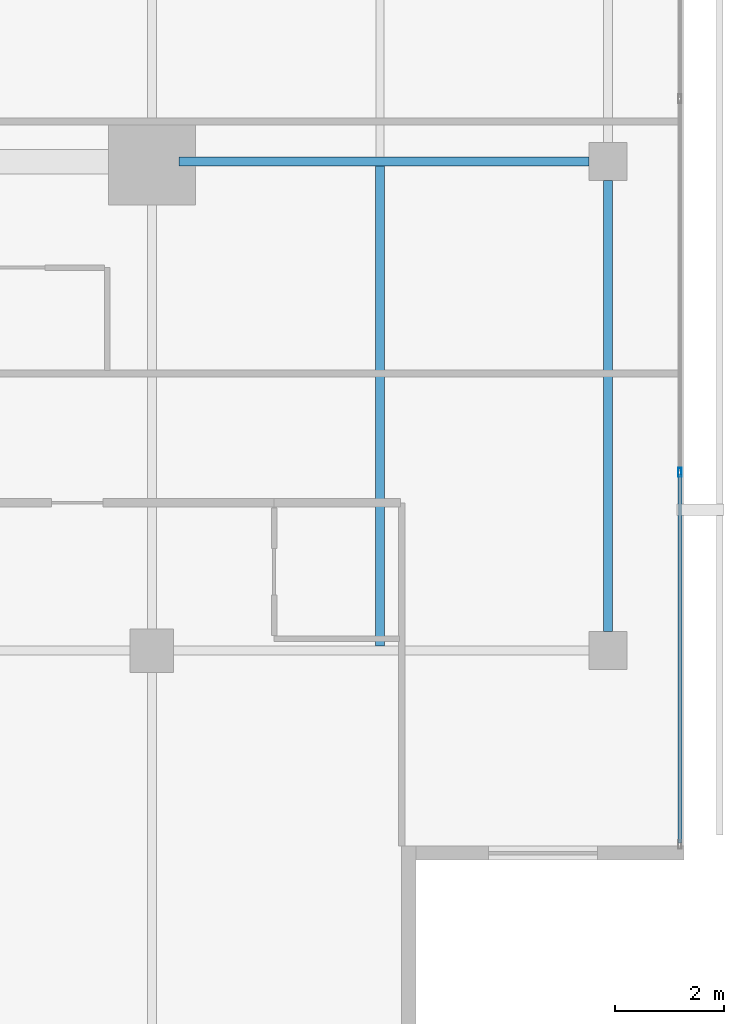
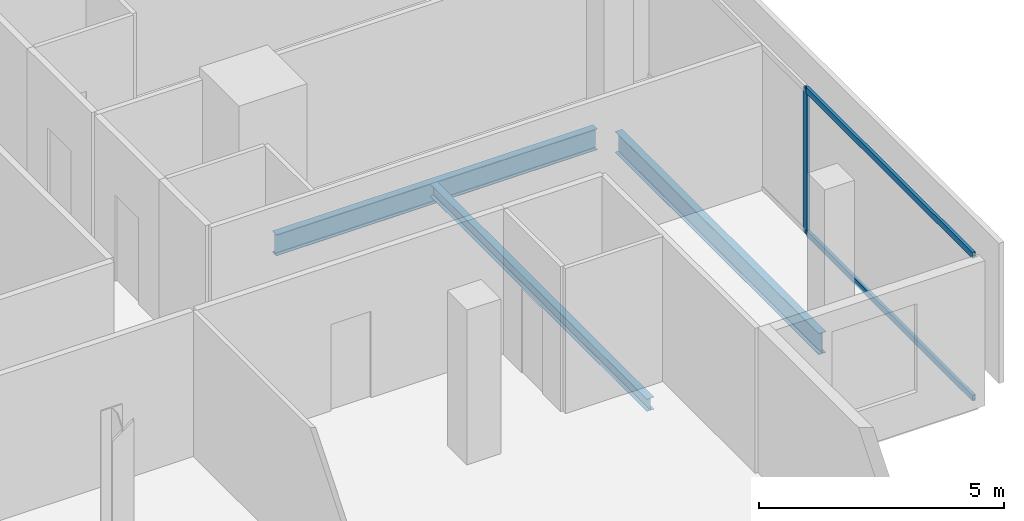
# One storey, part 12 of 25: 3 beams, 3 members, 1 element without a shape of its own.
"""IFC4 building model written with IfcOpenShell, lengths in metres."""

from ifc_helpers import new_model, si_unit, direction, frame, origin, origin_2d, place, context, subcontext, project, spatial, hollow_rectangle, i_section, extrude, material, layer, layer_set, material_profile, profile_set, type_object, element, aggregate, save


model = new_model("IFC4")

# Units and contexts
model_context = context("Model", 3, precision=1e-05, world=origin(), true_north=direction((0.0, 1.0)))
body_context = subcontext(model_context, "Body", "Model", "MODEL_VIEW")
ifc_project = project(units=[si_unit("LENGTHUNIT", "METRE"), si_unit("AREAUNIT", "SQUARE_METRE"), si_unit("VOLUMEUNIT", "CUBIC_METRE"), si_unit("PLANEANGLEUNIT", "RADIAN"), si_unit("MASSUNIT", "GRAM", prefix="KILO")], contexts=[model_context])

# Site, building, storey
site_placement = place(None, origin())
site = spatial("IfcSite", under=ifc_project, at=site_placement, CompositionType="ELEMENT")
building_placement = place(site_placement, origin())
building = spatial("IfcBuilding", under=site, at=building_placement, Name="Maruvema Waterfront Hotel and Observation Tower", CompositionType="ELEMENT")
storey_placement = place(building_placement, frame((0.0, 0.0, 277.89990234375)))
storey = spatial("IfcBuildingStorey", under=building, at=storey_placement, Name="L68", CompositionType="ELEMENT", Elevation=277.89990234375)

# Curtain wall, members
ifc_material_1 = material(Name="Anodised bronze aluminium and solar-control low-E IGU", Category="aluminium")
ifc_layer = layer(ifc_material_1, 0.159912109375, Name="Zone 3 Champagne Inner Thermal Curtain Wall System CW-04")
ifc_layer_set = layer_set([ifc_layer], Name="Anodised bronze aluminium and solar-control low-E IGU")
curtain_wall_type = type_object("IfcCurtainWallType", Name="Zone 3 Champagne Inner Thermal Curtain Wall System CW-04", PredefinedType="USERDEFINED", material=ifc_layer_set)
curtain_wall_placement = place(storey_placement, origin())
curtain_wall = element("IfcCurtainWall", 1, at=curtain_wall_placement, inside=storey, type_object=curtain_wall_type, Name="L68 Curtain Wall CW-L68-E", ObjectType="UNITISED CURTAIN WALL", PredefinedType="USERDEFINED")
ifc_material_2 = material(Name="Anodised architectural bronze aluminium", Category="aluminium")
ifc_material_profile_1 = material_profile(ifc_material_2, hollow_rectangle(XDim=0.070068359375, YDim=0.14990234375, WallThickness=0.00390625, at=origin_2d()), Name="ALU-T70x150")
ifc_profile_set_1 = profile_set([ifc_material_profile_1], Name="Anodised architectural bronze aluminium")
member_type_1 = type_object("IfcMemberType", Name="Curtain Wall Horizontal Transom ALU-T70x150", PredefinedType="USERDEFINED", material=ifc_profile_set_1)
member_1_placement = place(storey_placement, frame((60.1201171875, 14.4599609375, 0.030029296875), z_axis=(0.0, 1.0, 0.0), x_axis=(-1.0, 0.0, 0.0)))
member_1 = element("IfcMember", 2, at=member_1_placement, type_object=member_type_1, Name="CW-04 transom 1.1", ObjectType="TRANSOM", PredefinedType="USERDEFINED", context=body_context, shape_type="SweptSolid", body=[
    extrude(hollow_rectangle(XDim=0.070068359375, YDim=0.14990234375, WallThickness=0.00390625, at=origin_2d()), origin(), (0.0, 0.0, 1.0), 6.7900390625),
])
member_2_placement = place(storey_placement, frame((60.1201171875, 14.4599609375, 3.580078125), z_axis=(0.0, 1.0, 0.0), x_axis=(-1.0, 0.0, 0.0)))
member_2 = element("IfcMember", 3, at=member_2_placement, type_object=member_type_1, Name="CW-04 transom 1.2", ObjectType="TRANSOM", PredefinedType="USERDEFINED", context=body_context, shape_type="SweptSolid", body=[
    extrude(hollow_rectangle(XDim=0.070068359375, YDim=0.14990234375, WallThickness=0.00390625, at=origin_2d()), origin(), (0.0, 0.0, 1.0), 6.7900390625),
])
ifc_material_3 = material(Name="Anodised architectural bronze aluminium", Category="aluminium")
ifc_material_profile_2 = material_profile(ifc_material_3, hollow_rectangle(XDim=0.06494140625, YDim=0.1650390625, WallThickness=0.00390625, at=origin_2d()), Name="ALU-M65x165")
ifc_profile_set_2 = profile_set([ifc_material_profile_2], Name="Anodised architectural bronze aluminium")
member_type_2 = type_object("IfcMemberType", Name="Curtain Wall Primary Mullion ALU-M65x165", PredefinedType="MULLION", material=ifc_profile_set_2)
member_3_placement = place(storey_placement, frame((60.1201171875, 21.280029296875, 0.0), z_axis=(0.0, 0.0, 1.0), x_axis=(-1.0, 0.0, 0.0)))
member_3 = element("IfcMember", 4, at=member_3_placement, type_object=member_type_2, Name="CW-04 mullion 2", PredefinedType="MULLION", context=body_context, shape_type="SweptSolid", body=[
    extrude(hollow_rectangle(XDim=0.06494140625, YDim=0.1650390625, WallThickness=0.00390625, at=origin_2d()), origin(), (0.0, 0.0, 1.0), 3.610107421875),
])
aggregate(curtain_wall, [member_3, member_1, member_2])

# Beams
ifc_material_4 = material(Name="Steel ASTM A572 Grade 50", Category="steel")
ifc_material_profile_3 = material_profile(ifc_material_4, i_section(OverallWidth=0.166015625, OverallDepth=0.529052734375, WebThickness=0.009765625, FlangeThickness=0.013671875, FilletRadius=0.014892578125, at=origin_2d()), Name="W530x74.0")
ifc_profile_set_3 = profile_set([ifc_material_profile_3], Name="Steel ASTM A572 Grade 50")
beam_type_1 = type_object("IfcBeamType", Name="Primary Floor Girder W530x74.0", PredefinedType="BEAM", material=ifc_profile_set_3)
beam_1_placement = place(storey_placement, frame((50.89990234375, 27.0, -0.50439453125), z_axis=(1.0, 0.0, 0.0), x_axis=(0.0, 1.0, 0.0)))
element("IfcBeam", 5, at=beam_1_placement, inside=storey, type_object=beam_type_1, Name="L68 Floor Girder EW-11", PredefinedType="BEAM", context=body_context, shape_type="SweptSolid", body=[
    extrude(i_section(OverallWidth=0.166015625, OverallDepth=0.529052734375, WebThickness=0.009765625, FlangeThickness=0.013671875, FilletRadius=0.014892578125, at=origin_2d()), origin(), (0.0, 0.0, 1.0), 7.550048828125),
])
beam_2_placement = place(storey_placement, frame((58.800048828125, 18.35009765625, -0.50439453125), z_axis=(0.0, 1.0, 0.0), x_axis=(-1.0, 0.0, 0.0)))
element("IfcBeam", 6, at=beam_2_placement, inside=storey, type_object=beam_type_1, Name="L68 Floor Girder NS-16", PredefinedType="BEAM", context=body_context, shape_type="SweptSolid", body=[
    extrude(i_section(OverallWidth=0.166015625, OverallDepth=0.529052734375, WebThickness=0.009765625, FlangeThickness=0.013671875, FilletRadius=0.014892578125, at=origin_2d()), origin(), (0.0, 0.0, 1.0), 8.2998046875),
])
ifc_material_5 = material(Name="Steel ASTM A572 Grade 50", Category="steel")
ifc_material_profile_4 = material_profile(ifc_material_5, i_section(OverallWidth=0.1650390625, OverallDepth=0.31005859375, WebThickness=0.005859375, FlangeThickness=0.009765625, FilletRadius=0.012939453125, at=origin_2d()), Name="W310x38.7")
ifc_profile_set_4 = profile_set([ifc_material_profile_4], Name="Steel ASTM A572 Grade 50")
beam_type_2 = type_object("IfcBeamType", Name="Secondary Floor Joist W310x38.7", PredefinedType="JOIST", material=ifc_profile_set_4)
beam_3_placement = place(storey_placement, frame((54.60009765625, 18.0830078125, -0.39501953125), z_axis=(0.0, 1.0, 0.0), x_axis=(-1.0, 0.0, 0.0)))
element("IfcBeam", 7, at=beam_3_placement, inside=storey, type_object=beam_type_2, Name="L68 Secondary Floor Joist JS-07", PredefinedType="JOIST", context=body_context, shape_type="SweptSolid", body=[
    extrude(i_section(OverallWidth=0.1650390625, OverallDepth=0.31005859375, WebThickness=0.005859375, FlangeThickness=0.009765625, FilletRadius=0.012939453125, at=origin_2d()), origin(), (0.0, 0.0, 1.0), 8.833984375),
])

save(model, "model.ifc")
